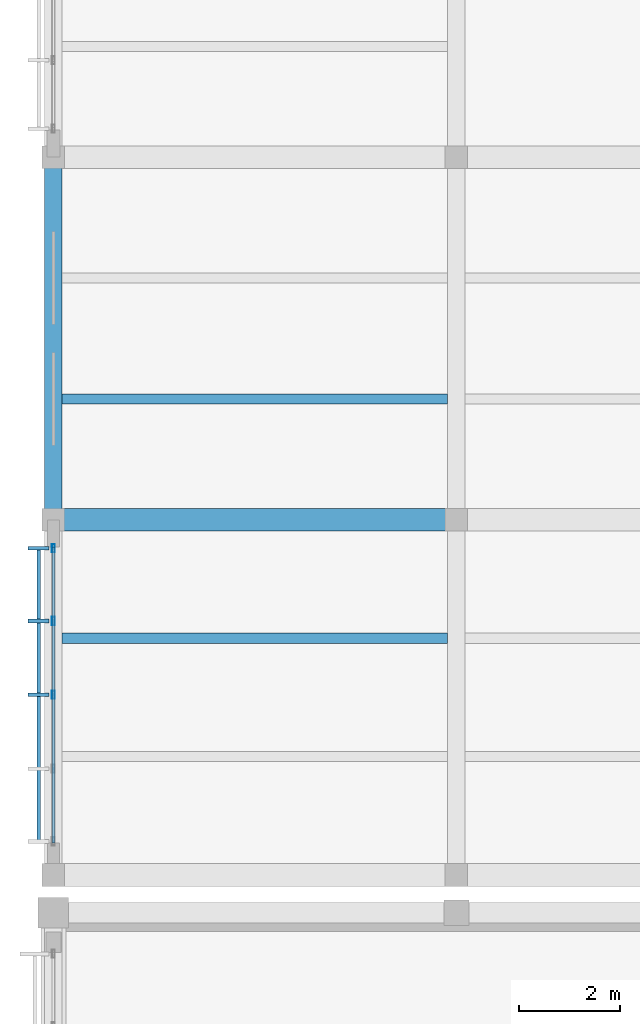
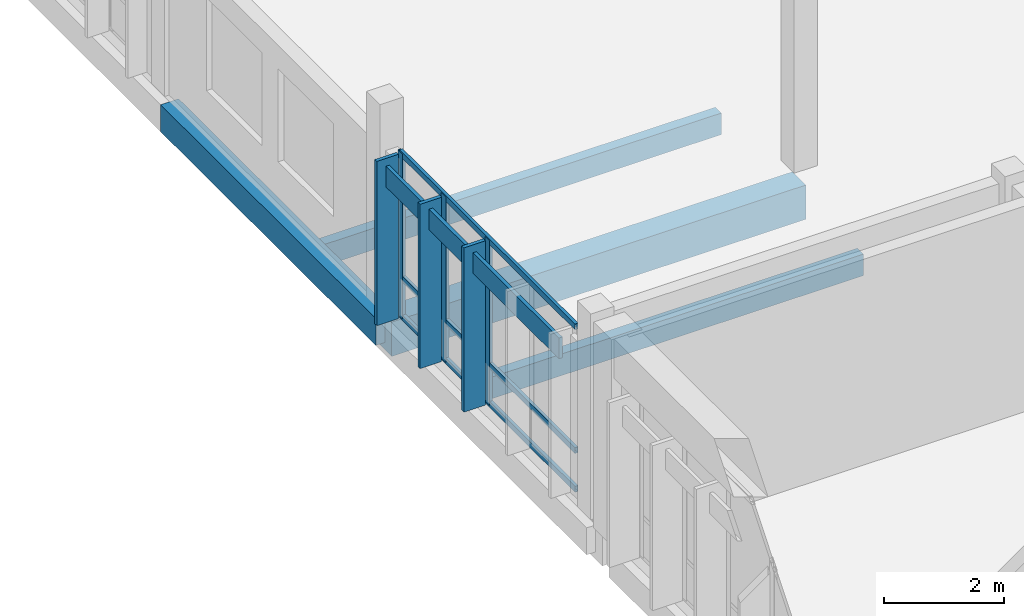
# One storey, part 35 of 182: 10 members, 4 beams, 1 element without a shape of its own.
"""IFC4 building model written with IfcOpenShell, lengths in metres."""

from ifc_helpers import new_model, si_unit, direction, frame, origin, origin_2d, place, context, subcontext, project, spatial, rectangle, hollow_rectangle, extrude, material, material_profile, profile_set, type_object, element, aggregate, save


model = new_model("IFC4")

# Units and contexts
model_context = context("Model", 3, precision=1e-05, world=origin(), true_north=direction((0.0, 1.0)))
body_context = subcontext(model_context, "Body", "Model", "MODEL_VIEW")
ifc_project = project(units=[si_unit("LENGTHUNIT", "METRE"), si_unit("AREAUNIT", "SQUARE_METRE"), si_unit("VOLUMEUNIT", "CUBIC_METRE"), si_unit("PLANEANGLEUNIT", "RADIAN"), si_unit("MASSUNIT", "GRAM", prefix="KILO")], contexts=[model_context])

# Site, building, storey
site_placement = place(None, origin())
site = spatial("IfcSite", under=ifc_project, at=site_placement, CompositionType="ELEMENT")
building_placement = place(site_placement, origin())
building = spatial("IfcBuilding", under=site, at=building_placement, Name="Chiffa Square Polytechnic", CompositionType="ELEMENT")
storey_placement = place(building_placement, frame((0.0, 0.0, 9.60009765625)))
storey = spatial("IfcBuildingStorey", under=building, at=storey_placement, Name="L02", CompositionType="ELEMENT", Elevation=9.60009765625)

# Beams
ifc_material_1 = material(Name="Concrete C35/45", Category="concrete")
ifc_material_profile_1 = material_profile(ifc_material_1, rectangle(XDim=0.35009765625, YDim=0.550048828125, at=origin_2d()), Name="RC 350x550")
ifc_profile_set_1 = profile_set([ifc_material_profile_1], Name="Concrete C35/45")
beam_type_1 = type_object("IfcBeamType", Name="BM-RC-350X550", PredefinedType="BEAM", material=ifc_profile_set_1)
beam_1_placement = place(storey_placement, frame((0.0, 43.800048828125, -0.59521484375), z_axis=(0.0, 1.0, 0.0), x_axis=(-1.0, 0.0, 0.0)))
element("IfcBeam", 1, at=beam_1_placement, inside=storey, type_object=beam_type_1, Name="Primary floor girder BM-V6-L02-Y-0000-0438", PredefinedType="BEAM", context=body_context, shape_type="SweptSolid", body=[
    extrude(rectangle(XDim=0.35009765625, YDim=0.550048828125, at=origin_2d()), origin(), (0.0, 0.0, 1.0), 7.199951171875),
])
ifc_material_profile_2 = material_profile(ifc_material_1, rectangle(XDim=0.449951171875, YDim=0.699951171875, at=origin_2d()), Name="RC 450x700")
ifc_profile_set_2 = profile_set([ifc_material_profile_2], Name="Concrete C35/45")
beam_type_2 = type_object("IfcBeamType", Name="BM-RC-450X700", PredefinedType="BEAM", material=ifc_profile_set_2)
beam_2_placement = place(storey_placement, frame((0.0, 43.800048828125, -0.670166015625), z_axis=(1.0, 0.0, 0.0), x_axis=(0.0, 1.0, 0.0)))
element("IfcBeam", 2, at=beam_2_placement, inside=storey, type_object=beam_type_2, Name="Primary floor girder BM-V6-L02-X-0000-0438", PredefinedType="BEAM", context=body_context, shape_type="SweptSolid", body=[
    extrude(rectangle(XDim=0.449951171875, YDim=0.699951171875, at=origin_2d()), origin(), (0.0, 0.0, 1.0), 8.0),
])

# Curtain wall, members
ifc_material_2 = material(Name="Aluminium EN AW-6060 T66 and glulam shading", Category="wood")
curtain_wall_type = type_object("IfcCurtainWallType", Name="CW-VERT-360X380", PredefinedType="USERDEFINED", material=ifc_material_2)
curtain_wall_placement = place(storey_placement, origin())
curtain_wall = element("IfcCurtainWall", 3, at=curtain_wall_placement, inside=storey, type_object=curtain_wall_type, Name="Curtain wall CW-V6-L02-269", ObjectType="CURTAIN WALL", PredefinedType="USERDEFINED")
ifc_material_3 = material(Name="Aluminium EN AW-6060 T66", Category="aluminium")
ifc_material_profile_3 = material_profile(ifc_material_3, hollow_rectangle(XDim=0.06005859375, YDim=0.159912109375, WallThickness=0.00390625, at=origin_2d()), Name="ALU 60x160x4")
ifc_profile_set_3 = profile_set([ifc_material_profile_3], Name="Aluminium EN AW-6060 T66")
member_type_1 = type_object("IfcMemberType", Name="CWM-ALU-65X150", PredefinedType="MULLION", material=ifc_profile_set_3)
member_1_placement = place(storey_placement, frame((0.0, 43.235107421875, 0.0), z_axis=(0.0, 0.0, 1.0), x_axis=(1.0, 0.0, 0.0)))
member_1 = element("IfcMember", 4, at=member_1_placement, type_object=member_type_1, Name="Curtain wall mullion CW-V6-L02-269-M00", PredefinedType="MULLION", context=body_context, shape_type="SweptSolid", body=[
    extrude(hollow_rectangle(XDim=0.06005859375, YDim=0.159912109375, WallThickness=0.00390625, at=origin_2d()), origin(), (0.0, 0.0, 1.0), 3.375),
])
member_2_placement = place(storey_placement, frame((0.0, 41.7919921875, 0.0), z_axis=(0.0, 0.0, 1.0), x_axis=(1.0, 0.0, 0.0)))
member_2 = element("IfcMember", 5, at=member_2_placement, type_object=member_type_1, Name="Curtain wall mullion CW-V6-L02-269-M01", PredefinedType="MULLION", context=body_context, shape_type="SweptSolid", body=[
    extrude(hollow_rectangle(XDim=0.06005859375, YDim=0.159912109375, WallThickness=0.00390625, at=origin_2d()), origin(), (0.0, 0.0, 1.0), 3.375),
])
member_3_placement = place(storey_placement, frame((0.0, 40.324951171875, 0.0), z_axis=(0.0, 0.0, 1.0), x_axis=(1.0, 0.0, 0.0)))
member_3 = element("IfcMember", 6, at=member_3_placement, type_object=member_type_1, Name="Curtain wall mullion CW-V6-L02-269-M02", PredefinedType="MULLION", context=body_context, shape_type="SweptSolid", body=[
    extrude(hollow_rectangle(XDim=0.06005859375, YDim=0.159912109375, WallThickness=0.00390625, at=origin_2d()), origin(), (0.0, 0.0, 1.0), 3.375),
])
ifc_material_4 = material(Name="Glulam GL28h", Category="wood")
ifc_material_profile_4 = material_profile(ifc_material_4, rectangle(XDim=0.070068359375, YDim=0.419921875, at=origin_2d()), Name="GL28h 70x420")
ifc_profile_set_4 = profile_set([ifc_material_profile_4], Name="Glulam GL28h")
member_type_2 = type_object("IfcMemberType", Name="CWM-GL-70X420", PredefinedType="MULLION", material=ifc_profile_set_4)
member_4_placement = place(storey_placement, frame((-0.2919921875, 43.235107421875, 0.010009765625), z_axis=(0.0, 0.0, 1.0), x_axis=(0.0, -1.0, 0.0)))
member_4 = element("IfcMember", 7, at=member_4_placement, type_object=member_type_2, Name="Exterior glulam solar fin CW-V6-L02-269-FN00", PredefinedType="MULLION", context=body_context, shape_type="SweptSolid", body=[
    extrude(rectangle(XDim=0.070068359375, YDim=0.419921875, at=origin_2d()), origin(), (0.0, 0.0, 1.0), 3.35498046875),
])
member_5_placement = place(storey_placement, frame((-0.2919921875, 41.7919921875, 0.010009765625), z_axis=(0.0, 0.0, 1.0), x_axis=(0.0, -1.0, 0.0)))
member_5 = element("IfcMember", 8, at=member_5_placement, type_object=member_type_2, Name="Exterior glulam solar fin CW-V6-L02-269-FN01", PredefinedType="MULLION", context=body_context, shape_type="SweptSolid", body=[
    extrude(rectangle(XDim=0.070068359375, YDim=0.419921875, at=origin_2d()), origin(), (0.0, 0.0, 1.0), 3.35498046875),
])
member_6_placement = place(storey_placement, frame((-0.2919921875, 40.324951171875, 0.010009765625), z_axis=(0.0, 0.0, 1.0), x_axis=(0.0, -1.0, 0.0)))
member_6 = element("IfcMember", 9, at=member_6_placement, type_object=member_type_2, Name="Exterior glulam solar fin CW-V6-L02-269-FN02", PredefinedType="MULLION", context=body_context, shape_type="SweptSolid", body=[
    extrude(rectangle(XDim=0.070068359375, YDim=0.419921875, at=origin_2d()), origin(), (0.0, 0.0, 1.0), 3.35498046875),
])
ifc_material_profile_5 = material_profile(ifc_material_3, hollow_rectangle(XDim=0.06005859375, YDim=0.1201171875, WallThickness=0.00390625, at=origin_2d()), Name="ALU 60x120x4")
ifc_profile_set_5 = profile_set([ifc_material_profile_5], Name="Aluminium EN AW-6060 T66")
member_type_3 = type_object("IfcMemberType", Name="CWT-ALU-65X120", PredefinedType="USERDEFINED", material=ifc_profile_set_5)
member_7_placement = place(storey_placement, frame((0.0, 43.261962890625, 0.02978515625), z_axis=(0.0, -1.0, 0.0), x_axis=(1.0, 0.0, 0.0)))
member_7 = element("IfcMember", 10, at=member_7_placement, type_object=member_type_3, Name="Curtain wall transom CW-V6-L02-269-T01", ObjectType="TRANSOM", PredefinedType="USERDEFINED", context=body_context, shape_type="SweptSolid", body=[
    extrude(hollow_rectangle(XDim=0.06005859375, YDim=0.1201171875, WallThickness=0.00390625, at=origin_2d()), origin(), (0.0, 0.0, 1.0), 5.8740234375),
])
member_8_placement = place(storey_placement, frame((0.0, 43.261962890625, 0.81982421875), z_axis=(0.0, -1.0, 0.0), x_axis=(1.0, 0.0, 0.0)))
member_8 = element("IfcMember", 11, at=member_8_placement, type_object=member_type_3, Name="Curtain wall transom CW-V6-L02-269-T02", ObjectType="TRANSOM", PredefinedType="USERDEFINED", context=body_context, shape_type="SweptSolid", body=[
    extrude(hollow_rectangle(XDim=0.06005859375, YDim=0.1201171875, WallThickness=0.00390625, at=origin_2d()), origin(), (0.0, 0.0, 1.0), 5.8740234375),
])
member_9_placement = place(storey_placement, frame((0.0, 43.261962890625, 3.344970703125), z_axis=(0.0, -1.0, 0.0), x_axis=(1.0, 0.0, 0.0)))
member_9 = element("IfcMember", 12, at=member_9_placement, type_object=member_type_3, Name="Curtain wall transom CW-V6-L02-269-T03", ObjectType="TRANSOM", PredefinedType="USERDEFINED", context=body_context, shape_type="SweptSolid", body=[
    extrude(hollow_rectangle(XDim=0.06005859375, YDim=0.1201171875, WallThickness=0.00390625, at=origin_2d()), origin(), (0.0, 0.0, 1.0), 5.8740234375),
])
ifc_material_profile_6 = material_profile(ifc_material_4, rectangle(XDim=0.070068359375, YDim=0.419921875, at=origin_2d()), Name="GL28h 70x420")
ifc_profile_set_6 = profile_set([ifc_material_profile_6], Name="Glulam GL28h")
member_type_4 = type_object("IfcMemberType", Name="CWT-GL-70X420", PredefinedType="USERDEFINED", material=ifc_profile_set_6)
member_10_placement = place(storey_placement, frame((-0.2919921875, 43.235107421875, 2.994873046875), z_axis=(0.0, -1.0, 0.0), x_axis=(1.0, 0.0, 0.0)))
member_10 = element("IfcMember", 13, at=member_10_placement, type_object=member_type_4, Name="Exterior glulam brise-soleil CW-V6-L02-269-BS01", ObjectType="TRANSOM", PredefinedType="USERDEFINED", context=body_context, shape_type="SweptSolid", body=[
    extrude(rectangle(XDim=0.070068359375, YDim=0.419921875, at=origin_2d()), origin(), (0.0, 0.0, 1.0), 5.820068359375),
])
aggregate(curtain_wall, [member_1, member_4, member_2, member_5, member_3, member_6, member_7, member_8, member_9, member_10])

# Beams
ifc_material_profile_7 = material_profile(ifc_material_4, rectangle(XDim=0.199951171875, YDim=0.43994140625, at=origin_2d()), Name="GL28h 200x440")
ifc_profile_set_7 = profile_set([ifc_material_profile_7], Name="Glulam GL28h")
beam_type_3 = type_object("IfcBeamType", Name="JST-GL-200X440", PredefinedType="JOIST", material=ifc_profile_set_7)
for number, where, z_axis, x_axis, name in (
    (14, (0.173095703125, 41.449951171875, -0.5400390625), (1.0, 0.0, 0.0), (0.0, 1.0, 0.0), "Secondary floor joist JST-V6-L02-0000-0414"),
    (15, (0.173095703125, 46.199951171875, -0.5400390625), (1.0, 0.0, 0.0), (0.0, 1.0, 0.0), "Secondary floor joist JST-V6-L02-0000-0462"),
):
    element("IfcBeam", number, at=place(storey_placement, frame(where, z_axis=z_axis, x_axis=x_axis)), inside=storey, type_object=beam_type_3, Name=name, PredefinedType="JOIST", context=body_context, shape_type="SweptSolid", body=[
        extrude(rectangle(XDim=0.199951171875, YDim=0.43994140625, at=origin_2d()), origin(), (0.0, 0.0, 1.0), 7.65380859375),
    ])

save(model, "model.ifc")
